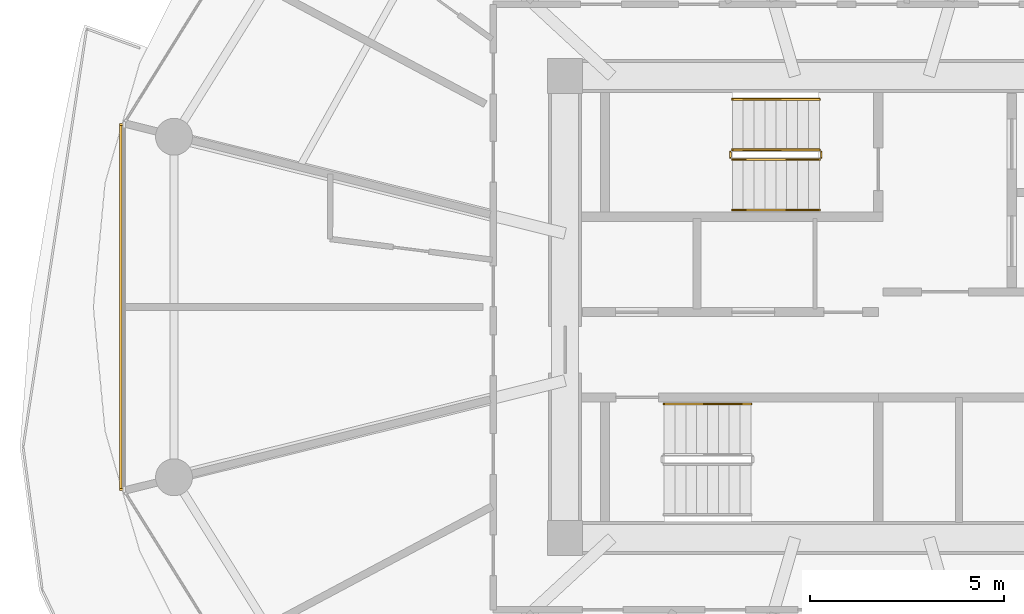
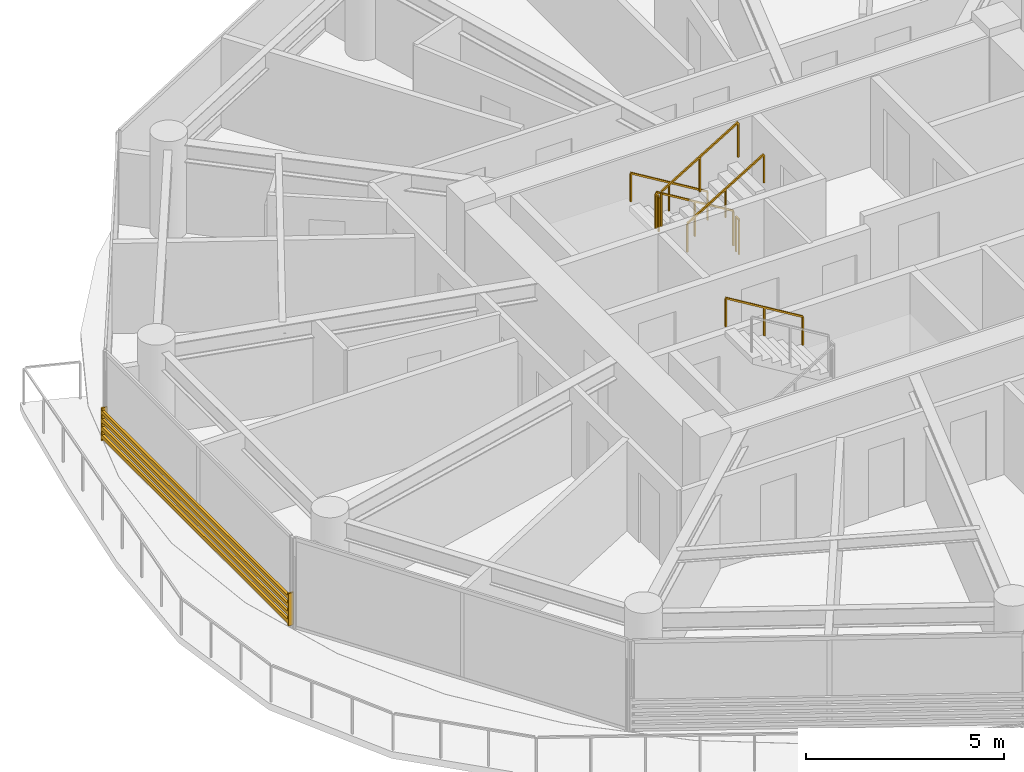
# One storey, part 24 of 27: 7 railings, 1 shading device.
"""IFC4 building model written with IfcOpenShell, lengths in metres."""

from ifc_helpers import new_model, si_unit, direction, frame, origin, origin_2d, place, context, subcontext, project, spatial, rectangle, extrude, source, transform, mapped, material, type_object, type_shapes, element, save


model = new_model("IFC4")

# Units and contexts
model_context = context("Model", 3, precision=1e-05, world=origin(), true_north=direction((0.0, 1.0)))
body_context = subcontext(model_context, "Body", "Model", "MODEL_VIEW")
ifc_project = project(units=[si_unit("LENGTHUNIT", "METRE"), si_unit("AREAUNIT", "SQUARE_METRE"), si_unit("VOLUMEUNIT", "CUBIC_METRE"), si_unit("PLANEANGLEUNIT", "RADIAN"), si_unit("MASSUNIT", "GRAM", prefix="KILO")], contexts=[model_context])

# Site, building, storey
site_placement = place(None, origin())
site = spatial("IfcSite", under=ifc_project, at=site_placement, CompositionType="ELEMENT")
building_placement = place(site_placement, origin())
building = spatial("IfcBuilding", under=site, at=building_placement, Name="Norrkilde Senior Care Towers", CompositionType="ELEMENT")
storey_placement = place(building_placement, frame((0.0, 0.0, 46.0)))
storey = spatial("IfcBuildingStorey", under=building, at=storey_placement, Name="L13", CompositionType="ELEMENT", Elevation=46.0)

# Railings
ifc_material_1 = material(Name="Stainless Steel", Category="steel")
railing_type_1 = type_object("IfcRailingType", Name="Stair and Terrace Guardrail 1100", PredefinedType="GUARDRAIL", material=ifc_material_1)
railing_1_placement = place(storey_placement, frame((-29.10009765625, 4.050048828125, 0.16943359375)))
element("IfcRailing", 1, at=railing_1_placement, inside=storey, type_object=railing_type_1, Name="L13 ST-W1 stair guard 1", PredefinedType="GUARDRAIL", context=body_context, shape_type="SweptSolid", body=[
    extrude(rectangle(XDim=0.048095703125, YDim=0.048095703125, at=origin_2d()), frame((0.0, 0.0, 1.076171875), z_axis=(-0.855553338991, 0.0, 0.51771467445), x_axis=(0.0, -1.0, 0.0)), (0.0, 0.0, 1.0), 2.6181640625),
    extrude(rectangle(XDim=0.0419921875, YDim=0.0419921875, at=origin_2d()), origin(), (0.0, 0.0, 1.0), 1.050048828125),
    extrude(rectangle(XDim=0.0419921875, YDim=0.0419921875, at=origin_2d()), frame((-1.1201171875, 0.0, 0.677734375)), (0.0, 0.0, 1.0), 1.050048828125),
    extrude(rectangle(XDim=0.0419921875, YDim=0.0419921875, at=origin_2d()), frame((-2.239990234375, 0.0, 1.35546875)), (0.0, 0.0, 1.0), 1.050048828125),
])
railing_2_placement = place(storey_placement, frame((-31.389892578125, 4.0, 1.52490234375)))
element("IfcRailing", 2, at=railing_2_placement, inside=storey, type_object=railing_type_1, Name="L13 ST-W1 stair guard 2", PredefinedType="GUARDRAIL", context=body_context, shape_type="SweptSolid", body=[
    extrude(rectangle(XDim=0.048095703125, YDim=0.048095703125, at=origin_2d()), frame((0.0, 0.0, 1.076171875), z_axis=(0.0, -1.0, 0.0), x_axis=(1.0, 0.0, 0.0)), (0.0, 0.0, 1.0), 0.14990234375),
    extrude(rectangle(XDim=0.0419921875, YDim=0.0419921875, at=origin_2d()), origin(), (0.0, 0.0, 1.0), 1.050048828125),
    extrude(rectangle(XDim=0.0419921875, YDim=0.0419921875, at=origin_2d()), frame((0.0, -0.14990234375, 0.0)), (0.0, 0.0, 1.0), 1.050048828125),
])
railing_3_placement = place(storey_placement, frame((-31.340087890625, 3.800048828125, 1.6943359375)))
element("IfcRailing", 3, at=railing_3_placement, inside=storey, type_object=railing_type_1, Name="L13 ST-W1 stair guard 3", PredefinedType="GUARDRAIL", context=body_context, shape_type="SweptSolid", body=[
    extrude(rectangle(XDim=0.048095703125, YDim=0.048095703125, at=origin_2d()), frame((0.0, 0.0, 1.076171875), z_axis=(0.855512035549, 0.0, 0.517782924622), x_axis=(0.0, 1.0, 0.0)), (0.0, 0.0, 1.0), 2.618408203125),
    extrude(rectangle(XDim=0.0419921875, YDim=0.0419921875, at=origin_2d()), origin(), (0.0, 0.0, 1.0), 1.050048828125),
    extrude(rectangle(XDim=0.0419921875, YDim=0.0419921875, at=origin_2d()), frame((1.1201171875, 0.0, 0.677734375)), (0.0, 0.0, 1.0), 1.050048828125),
    extrude(rectangle(XDim=0.0419921875, YDim=0.0419921875, at=origin_2d()), frame((2.239990234375, 0.0, 1.355712890625)), (0.0, 0.0, 1.0), 1.050048828125),
])
railing_4_placement = place(storey_placement, frame((-29.050048828125, 4.0, 0.0)))
element("IfcRailing", 4, at=railing_4_placement, inside=storey, type_object=railing_type_1, Name="L13 ST-W1 stair guard 4", PredefinedType="GUARDRAIL", context=body_context, shape_type="SweptSolid", body=[
    extrude(rectangle(XDim=0.048095703125, YDim=0.048095703125, at=origin_2d()), frame((0.0, 0.0, 1.076171875), z_axis=(0.0, -1.0, 0.0), x_axis=(1.0, 0.0, 0.0)), (0.0, 0.0, 1.0), 0.14990234375),
    extrude(rectangle(XDim=0.0419921875, YDim=0.0419921875, at=origin_2d()), origin(), (0.0, 0.0, 1.0), 1.050048828125),
    extrude(rectangle(XDim=0.0419921875, YDim=0.0419921875, at=origin_2d()), frame((0.0, -0.14990234375, 0.0)), (0.0, 0.0, 1.0), 1.050048828125),
])
ifc_material_2 = material(Name="Nordic Ash Timber", Category="wood")
railing_type_2 = type_object("IfcRailingType", Name="Wall and Stair Handrail 900", PredefinedType="HANDRAIL", material=ifc_material_2)
railing_5_placement = place(storey_placement, frame((-29.10009765625, 5.35009765625, 0.16943359375)))
element("IfcRailing", 5, at=railing_5_placement, inside=storey, type_object=railing_type_2, Name="L13 ST-W1 stair handrail 1", PredefinedType="HANDRAIL", context=body_context, shape_type="SweptSolid", body=[
    extrude(rectangle(XDim=0.048095703125, YDim=0.048095703125, at=origin_2d()), frame((0.0, 0.0, 0.8759765625), z_axis=(-0.855553338991, 0.0, 0.51771467445), x_axis=(0.0, -1.0, 0.0)), (0.0, 0.0, 1.0), 2.6181640625),
    extrude(rectangle(XDim=0.0419921875, YDim=0.0419921875, at=origin_2d()), origin(), (0.0, 0.0, 1.0), 0.849853515625),
    extrude(rectangle(XDim=0.0419921875, YDim=0.0419921875, at=origin_2d()), frame((-1.1201171875, 0.0, 0.677734375)), (0.0, 0.0, 1.0), 0.849853515625),
    extrude(rectangle(XDim=0.0419921875, YDim=0.0419921875, at=origin_2d()), frame((-2.239990234375, 0.0, 1.35546875)), (0.0, 0.0, 1.0), 0.849853515625),
])
railing_6_placement = place(storey_placement, frame((-31.340087890625, 2.5, 1.6943359375)))
element("IfcRailing", 6, at=railing_6_placement, inside=storey, type_object=railing_type_2, Name="L13 ST-W1 stair handrail 2", PredefinedType="HANDRAIL", context=body_context, shape_type="SweptSolid", body=[
    extrude(rectangle(XDim=0.048095703125, YDim=0.048095703125, at=origin_2d()), frame((0.0, 0.0, 0.8759765625), z_axis=(0.855512035549, 0.0, 0.517782924622), x_axis=(0.0, 1.0, 0.0)), (0.0, 0.0, 1.0), 2.618408203125),
    extrude(rectangle(XDim=0.0419921875, YDim=0.0419921875, at=origin_2d()), origin(), (0.0, 0.0, 1.0), 0.849853515625),
    extrude(rectangle(XDim=0.0419921875, YDim=0.0419921875, at=origin_2d()), frame((1.1201171875, 0.0, 0.677734375)), (0.0, 0.0, 1.0), 0.849853515625),
    extrude(rectangle(XDim=0.0419921875, YDim=0.0419921875, at=origin_2d()), frame((2.239990234375, 0.0, 1.355712890625)), (0.0, 0.0, 1.0), 0.849853515625),
])
railing_7_placement = place(storey_placement, frame((-30.860107421875, -2.5, 1.6943359375)))
element("IfcRailing", 7, at=railing_7_placement, inside=storey, type_object=railing_type_2, Name="L13 ST-W2 stair handrail 2", PredefinedType="HANDRAIL", context=body_context, shape_type="SweptSolid", body=[
    extrude(rectangle(XDim=0.048095703125, YDim=0.048095703125, at=origin_2d()), frame((0.0, 0.0, 0.8759765625), z_axis=(-0.855512035549, 0.0, 0.517782924622), x_axis=(0.0, -1.0, 0.0)), (0.0, 0.0, 1.0), 2.618408203125),
    extrude(rectangle(XDim=0.0419921875, YDim=0.0419921875, at=origin_2d()), origin(), (0.0, 0.0, 1.0), 0.849853515625),
    extrude(rectangle(XDim=0.0419921875, YDim=0.0419921875, at=origin_2d()), frame((-1.1201171875, 0.0, 0.677734375)), (0.0, 0.0, 1.0), 0.849853515625),
    extrude(rectangle(XDim=0.0419921875, YDim=0.0419921875, at=origin_2d()), frame((-2.239990234375, 0.0, 1.355712890625)), (0.0, 0.0, 1.0), 0.849853515625),
])

# Shading device
ifc_material_3 = material(Name="Architectural Terracotta", Category="masonry")
shading_device_type = type_object("IfcShadingDeviceType", Name="Horizontal Terracotta Baguette Rack", PredefinedType="USERDEFINED", material=ifc_material_3)
shared_shape = source(origin(), body_context, "Body", "SweptSolid", [
    extrude(rectangle(XDim=0.070068359375, YDim=0.110107421875, at=origin_2d()), frame((0.0, 0.090087890625, 0.125), z_axis=(1.0, 0.0, 0.0), x_axis=(0.0, 1.0, 0.0)), (0.0, 0.0, 1.0), 9.46240234375),
    extrude(rectangle(XDim=0.070068359375, YDim=0.110107421875, at=origin_2d()), frame((0.0, 0.090087890625, 0.375), z_axis=(1.0, 0.0, 0.0), x_axis=(0.0, 1.0, 0.0)), (0.0, 0.0, 1.0), 9.46240234375),
    extrude(rectangle(XDim=0.070068359375, YDim=0.110107421875, at=origin_2d()), frame((0.0, 0.090087890625, 0.625), z_axis=(1.0, 0.0, 0.0), x_axis=(0.0, 1.0, 0.0)), (0.0, 0.0, 1.0), 9.46240234375),
    extrude(rectangle(XDim=0.070068359375, YDim=0.110107421875, at=origin_2d()), frame((0.0, 0.090087890625, 0.875), z_axis=(1.0, 0.0, 0.0), x_axis=(0.0, 1.0, 0.0)), (0.0, 0.0, 1.0), 9.46240234375),
    extrude(rectangle(XDim=0.050048828125, YDim=0.1552734375, at=origin_2d()), frame((0.02490234375, 0.047607421875, 0.0)), (0.0, 0.0, 1.0), 1.0),
    extrude(rectangle(XDim=0.050048828125, YDim=0.1552734375, at=origin_2d()), frame((9.4375, 0.047607421875, 0.0)), (0.0, 0.0, 1.0), 1.0),
])
type_shapes(shading_device_type, [shared_shape])
shading_device_placement = place(storey_placement, frame((-47.009521484375, -4.731201171875, 0.080078125), z_axis=(0.0, 0.0, 1.0), x_axis=(0.0, 1.0, 0.0)))
element("IfcShadingDevice", 8, at=shading_device_placement, inside=storey, type_object=shading_device_type, Name="L13 Drum W Terracotta Baguette Screen 05", ObjectType="BAGUETTE", PredefinedType="USERDEFINED", context=body_context, shape_type="MappedRepresentation", body=[
    mapped(shared_shape, transform((0.0, 0.0, 0.0), x_axis=(1.0, 0.0, 0.0), y_axis=(0.0, 1.0, 0.0), z_axis=(0.0, 0.0, 1.0), scale=1.0)),
])

save(model, "model.ifc")
